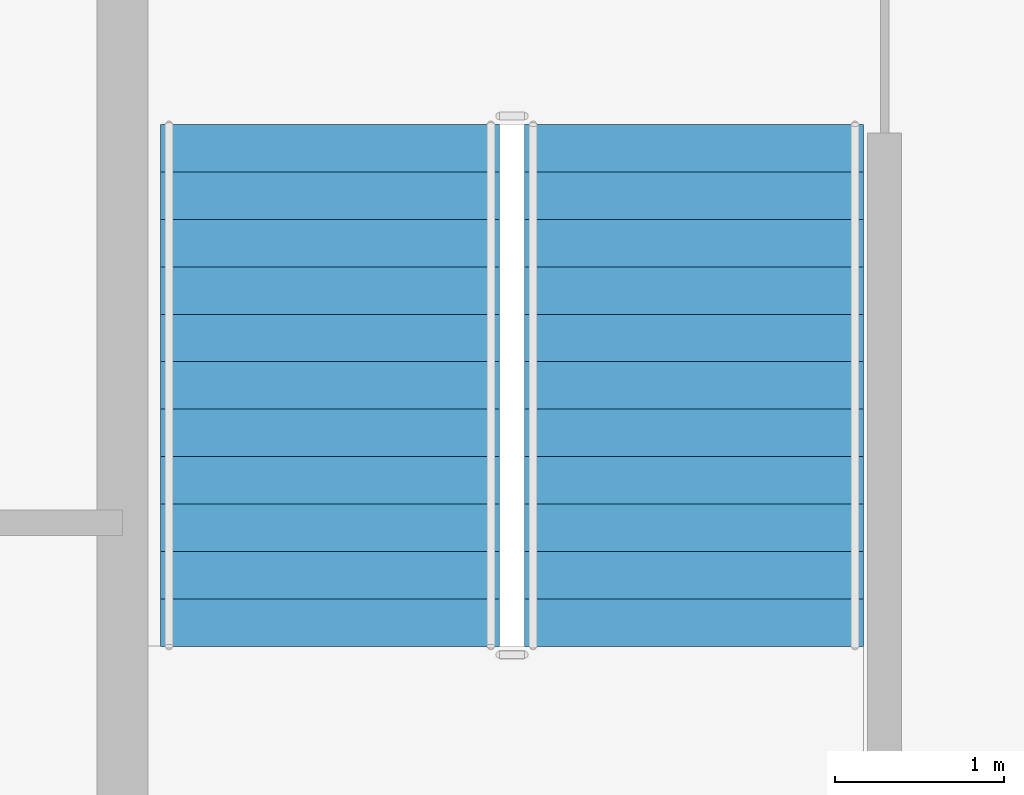
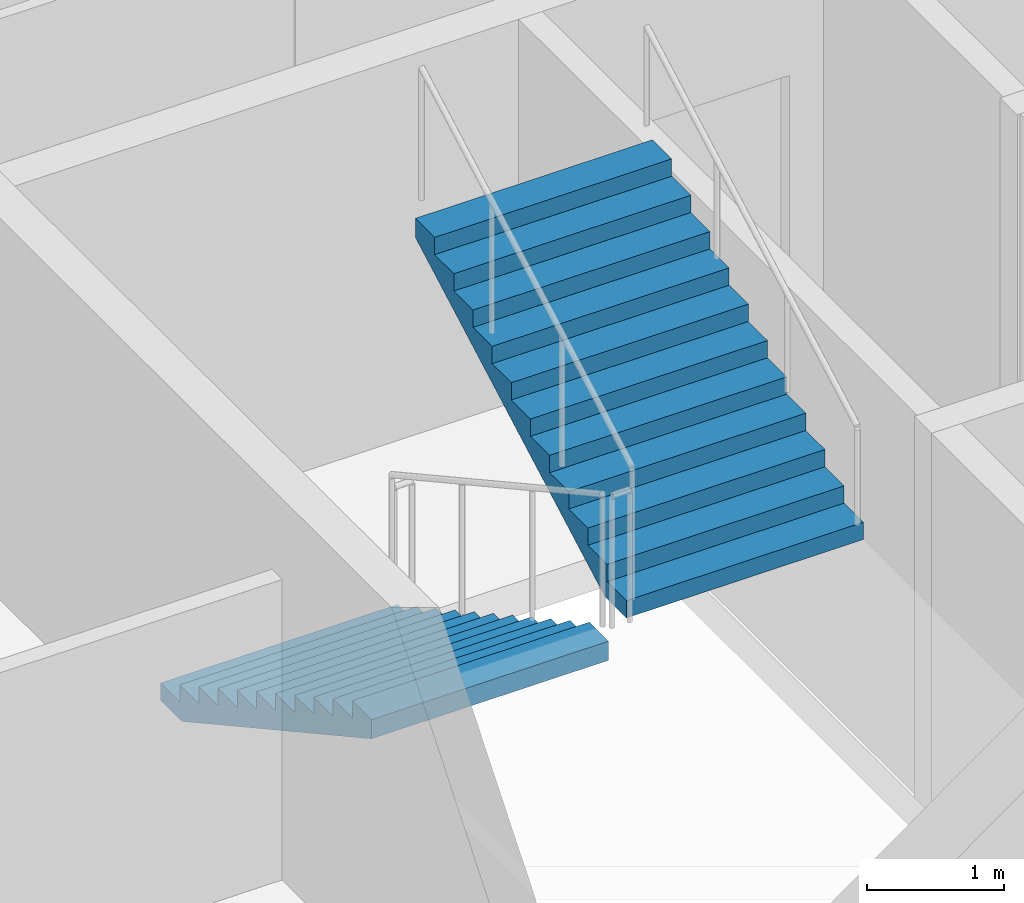
# One storey, part 11 of 18: 2 stair flights, 1 element without a shape of its own.
"""IFC4 building model written with IfcOpenShell, lengths in metres."""

from ifc_helpers import new_model, si_unit, direction, frame, origin, place, context, subcontext, project, spatial, polygons, material, type_object, element, aggregate, save


model = new_model("IFC4")

# Units and contexts
model_context = context("Model", 3, precision=1e-05, world=origin(), true_north=direction((0.0, 1.0)))
body_context = subcontext(model_context, "Body", "Model", "MODEL_VIEW")
ifc_project = project(units=[si_unit("LENGTHUNIT", "METRE"), si_unit("AREAUNIT", "SQUARE_METRE"), si_unit("VOLUMEUNIT", "CUBIC_METRE"), si_unit("PLANEANGLEUNIT", "RADIAN"), si_unit("MASSUNIT", "GRAM", prefix="KILO")], contexts=[model_context])

# Site, building, storey
site_placement = place(None, origin())
site = spatial("IfcSite", under=ifc_project, at=site_placement, CompositionType="ELEMENT")
building_placement = place(site_placement, origin())
building = spatial("IfcBuilding", under=site, at=building_placement, Name="Caravel Reach Hotel and Residences", CompositionType="ELEMENT")
storey_placement = place(building_placement, frame((0.0, 0.0, 176.5)))
storey = spatial("IfcBuildingStorey", under=building, at=storey_placement, Name="L44", CompositionType="ELEMENT", Elevation=176.5)

# Stair, stair flights
ifc_material_1 = material(Name="Concrete C40", Category="concrete")
stair_type = type_object("IfcStairType", Name="Core stair", PredefinedType="HALF_TURN_STAIR", material=ifc_material_1)
stair_placement = place(storey_placement, origin())
stair = element("IfcStair", 1, at=stair_placement, inside=storey, type_object=stair_type, Name="L44 Exit stair A", PredefinedType="HALF_TURN_STAIR")
ifc_material_2 = material(Name="Concrete C40", Category="concrete")
stair_flight_type = type_object("IfcStairFlightType", Name="Core stair flight", PredefinedType="STRAIGHT", material=ifc_material_2)
stair_flight_1_placement = place(storey_placement, frame((19.22509765625, 29.35009765625, 0.0), z_axis=(0.0, 0.0, 1.0), x_axis=(0.0, -1.0, 0.0)))
stair_flight_1 = element("IfcStairFlight", 2, at=stair_flight_1_placement, type_object=stair_flight_type, Name="ST-A flight 1", NumberOfRisers=12, NumberOfTreads=11, PredefinedType="STRAIGHT", RiserHeight=0.154166667, TreadLength=0.28, context=body_context, shape_type="Tessellation", body=[
    polygons([(0.3107950034306102, 1.0, 0.0), (0.3107950034306102, 0.6666666666666667, 0.0), (0.3107950034306102, 0.33333333333333337, 0.0), (0.3107950034306102, 0.0, 0.0), (0.3107950034306102, -0.33333333333333326, 0.0), (0.3107950034306102, -0.6666666666666667, 0.0), (0.3107950034306102, -1.0, 0.0), (3.081, 1.0, 1.524711087717319), (3.081, 0.6666666666666667, 1.524711087717319), (3.081, 0.33333333333333337, 1.524711087717319), (3.081, 0.0, 1.524711087717319), (3.081, -0.33333333333333326, 1.524711087717319), (3.081, -0.6666666666666667, 1.524711087717319), (3.081, -1.0, 1.524711087717319), (3.081, 1.0, 1.695833337), (3.081, 0.6666666666666667, 1.695833337), (3.081, 0.33333333333333337, 1.695833337), (3.081, 0.0, 1.695833337), (3.081, -0.33333333333333326, 1.695833337), (3.081, -0.6666666666666667, 1.695833337), (3.081, -1.0, 1.695833337), (2.8000000000000003, 1.0, 1.695833337), (2.8000000000000003, 0.6666666666666667, 1.695833337), (2.8000000000000003, 0.33333333333333337, 1.695833337), (2.8000000000000003, 0.0, 1.695833337), (2.8000000000000003, -0.33333333333333326, 1.695833337), (2.8000000000000003, -0.6666666666666667, 1.695833337), (2.8000000000000003, -1.0, 1.695833337), (2.8000000000000003, 1.0, 1.5416666700000001), (2.8000000000000003, 0.6666666666666667, 1.5416666700000001), (2.8000000000000003, 0.33333333333333337, 1.5416666700000001), (2.8000000000000003, 0.0, 1.5416666700000001), (2.8000000000000003, -0.33333333333333326, 1.5416666700000001), (2.8000000000000003, -0.6666666666666667, 1.5416666700000001), (2.8000000000000003, -1.0, 1.5416666700000001), (2.5200000000000005, 1.0, 1.5416666700000001), (2.5200000000000005, 0.6666666666666667, 1.5416666700000001), (2.5200000000000005, 0.33333333333333337, 1.5416666700000001), (2.5200000000000005, 0.0, 1.5416666700000001), (2.5200000000000005, -0.33333333333333326, 1.5416666700000001), (2.5200000000000005, -0.6666666666666667, 1.5416666700000001), (2.5200000000000005, -1.0, 1.5416666700000001), (2.5200000000000005, 1.0, 1.387500003), (2.5200000000000005, 0.6666666666666667, 1.387500003), (2.5200000000000005, 0.33333333333333337, 1.387500003), (2.5200000000000005, 0.0, 1.387500003), (2.5200000000000005, -0.33333333333333326, 1.387500003), (2.5200000000000005, -0.6666666666666667, 1.387500003), (2.5200000000000005, -1.0, 1.387500003), (2.24, 1.0, 1.387500003), (2.24, 0.6666666666666667, 1.387500003), (2.24, 0.33333333333333337, 1.387500003), (2.24, 0.0, 1.387500003), (2.24, -0.33333333333333326, 1.387500003), (2.24, -0.6666666666666667, 1.387500003), (2.24, -1.0, 1.387500003), (2.24, 1.0, 1.233333336), (2.24, 0.6666666666666667, 1.233333336), (2.24, 0.33333333333333337, 1.233333336), (2.24, 0.0, 1.233333336), (2.24, -0.33333333333333326, 1.233333336), (2.24, -0.6666666666666667, 1.233333336), (2.24, -1.0, 1.233333336), (1.9600000000000002, 1.0, 1.233333336), (1.9600000000000002, 0.6666666666666667, 1.233333336), (1.9600000000000002, 0.33333333333333337, 1.233333336), (1.9600000000000002, 0.0, 1.233333336), (1.9600000000000002, -0.33333333333333326, 1.233333336), (1.9600000000000002, -0.6666666666666667, 1.233333336), (1.9600000000000002, -1.0, 1.233333336), (1.9600000000000002, 1.0, 1.0791666690000001), (1.9600000000000002, 0.6666666666666667, 1.0791666690000001), (1.9600000000000002, 0.33333333333333337, 1.0791666690000001), (1.9600000000000002, 0.0, 1.0791666690000001), (1.9600000000000002, -0.33333333333333326, 1.0791666690000001), (1.9600000000000002, -0.6666666666666667, 1.0791666690000001), (1.9600000000000002, -1.0, 1.0791666690000001), (1.6800000000000002, 1.0, 1.0791666690000001), (1.6800000000000002, 0.6666666666666667, 1.0791666690000001), (1.6800000000000002, 0.33333333333333337, 1.0791666690000001), (1.6800000000000002, 0.0, 1.0791666690000001), (1.6800000000000002, -0.33333333333333326, 1.0791666690000001), (1.6800000000000002, -0.6666666666666667, 1.0791666690000001), (1.6800000000000002, -1.0, 1.0791666690000001), (1.6800000000000002, 1.0, 0.925000002), (1.6800000000000002, 0.6666666666666667, 0.925000002), (1.6800000000000002, 0.33333333333333337, 0.925000002), (1.6800000000000002, 0.0, 0.925000002), (1.6800000000000002, -0.33333333333333326, 0.925000002), (1.6800000000000002, -0.6666666666666667, 0.925000002), (1.6800000000000002, -1.0, 0.925000002), (1.4000000000000001, 1.0, 0.925000002), (1.4000000000000001, 0.6666666666666667, 0.925000002), (1.4000000000000001, 0.33333333333333337, 0.925000002), (1.4000000000000001, 0.0, 0.925000002), (1.4000000000000001, -0.33333333333333326, 0.925000002), (1.4000000000000001, -0.6666666666666667, 0.925000002), (1.4000000000000001, -1.0, 0.925000002), (1.4000000000000001, 1.0, 0.7708333350000001), (1.4000000000000001, 0.6666666666666667, 0.7708333350000001), (1.4000000000000001, 0.33333333333333337, 0.7708333350000001), (1.4000000000000001, 0.0, 0.7708333350000001), (1.4000000000000001, -0.33333333333333326, 0.7708333350000001), (1.4000000000000001, -0.6666666666666667, 0.7708333350000001), (1.4000000000000001, -1.0, 0.7708333350000001), (1.12, 1.0, 0.7708333350000001), (1.12, 0.6666666666666667, 0.7708333350000001), (1.12, 0.33333333333333337, 0.7708333350000001), (1.12, 0.0, 0.7708333350000001), (1.12, -0.33333333333333326, 0.7708333350000001), (1.12, -0.6666666666666667, 0.7708333350000001), (1.12, -1.0, 0.7708333350000001), (1.12, 1.0, 0.616666668), (1.12, 0.6666666666666667, 0.616666668), (1.12, 0.33333333333333337, 0.616666668), (1.12, 0.0, 0.616666668), (1.12, -0.33333333333333326, 0.616666668), (1.12, -0.6666666666666667, 0.616666668), (1.12, -1.0, 0.616666668), (0.8400000000000001, 1.0, 0.616666668), (0.8400000000000001, 0.6666666666666667, 0.616666668), (0.8400000000000001, 0.33333333333333337, 0.616666668), (0.8400000000000001, 0.0, 0.616666668), (0.8400000000000001, -0.33333333333333326, 0.616666668), (0.8400000000000001, -0.6666666666666667, 0.616666668), (0.8400000000000001, -1.0, 0.616666668), (0.8400000000000001, 1.0, 0.462500001), (0.8400000000000001, 0.6666666666666667, 0.462500001), (0.8400000000000001, 0.33333333333333337, 0.462500001), (0.8400000000000001, 0.0, 0.462500001), (0.8400000000000001, -0.33333333333333326, 0.462500001), (0.8400000000000001, -0.6666666666666667, 0.462500001), (0.8400000000000001, -1.0, 0.462500001), (0.56, 1.0, 0.462500001), (0.56, 0.6666666666666667, 0.462500001), (0.56, 0.33333333333333337, 0.462500001), (0.56, 0.0, 0.462500001), (0.56, -0.33333333333333326, 0.462500001), (0.56, -0.6666666666666667, 0.462500001), (0.56, -1.0, 0.462500001), (0.56, 1.0, 0.308333334), (0.56, 0.6666666666666667, 0.308333334), (0.56, 0.33333333333333337, 0.308333334), (0.56, 0.0, 0.308333334), (0.56, -0.33333333333333326, 0.308333334), (0.56, -0.6666666666666667, 0.308333334), (0.56, -1.0, 0.308333334), (0.28, 1.0, 0.308333334), (0.28, 0.6666666666666667, 0.308333334), (0.28, 0.33333333333333337, 0.308333334), (0.28, 0.0, 0.308333334), (0.28, -0.33333333333333326, 0.308333334), (0.28, -0.6666666666666667, 0.308333334), (0.28, -1.0, 0.308333334), (0.28, 1.0, 0.154166667), (0.28, 0.6666666666666667, 0.154166667), (0.28, 0.33333333333333337, 0.154166667), (0.28, 0.0, 0.154166667), (0.28, -0.33333333333333326, 0.154166667), (0.28, -0.6666666666666667, 0.154166667), (0.28, -1.0, 0.154166667), (-0.001, 1.0, 0.154166667), (-0.001, 0.6666666666666667, 0.154166667), (-0.001, 0.33333333333333337, 0.154166667), (-0.001, 0.0, 0.154166667), (-0.001, -0.33333333333333326, 0.154166667), (-0.001, -0.6666666666666667, 0.154166667), (-0.001, -1.0, 0.154166667), (-0.001, 1.0, 0.0), (-0.001, 0.6666666666666667, 0.0), (-0.001, 0.33333333333333337, 0.0), (-0.001, 0.0, 0.0), (-0.001, -0.33333333333333326, 0.0), (-0.001, -0.6666666666666667, 0.0), (-0.001, -1.0, 0.0)], [[[169, 162, 155, 148, 141, 134, 127, 120, 113, 106, 99, 92, 85, 78, 71, 64, 57, 50, 43, 36, 29, 22, 15, 8, 1]], [[7, 14, 21, 28, 35, 42, 49, 56, 63, 70, 77, 84, 91, 98, 105, 112, 119, 126, 133, 140, 147, 154, 161, 168, 175]], [[1, 8, 9, 2]], [[2, 9, 10, 3]], [[3, 10, 11, 4]], [[4, 11, 12, 5]], [[5, 12, 13, 6]], [[6, 13, 14, 7]], [[8, 15, 16, 9]], [[9, 16, 17, 10]], [[10, 17, 18, 11]], [[11, 18, 19, 12]], [[12, 19, 20, 13]], [[13, 20, 21, 14]], [[15, 22, 23, 16]], [[16, 23, 24, 17]], [[17, 24, 25, 18]], [[18, 25, 26, 19]], [[19, 26, 27, 20]], [[20, 27, 28, 21]], [[22, 29, 30, 23]], [[23, 30, 31, 24]], [[24, 31, 32, 25]], [[25, 32, 33, 26]], [[26, 33, 34, 27]], [[27, 34, 35, 28]], [[29, 36, 37, 30]], [[30, 37, 38, 31]], [[31, 38, 39, 32]], [[32, 39, 40, 33]], [[33, 40, 41, 34]], [[34, 41, 42, 35]], [[36, 43, 44, 37]], [[37, 44, 45, 38]], [[38, 45, 46, 39]], [[39, 46, 47, 40]], [[40, 47, 48, 41]], [[41, 48, 49, 42]], [[43, 50, 51, 44]], [[44, 51, 52, 45]], [[45, 52, 53, 46]], [[46, 53, 54, 47]], [[47, 54, 55, 48]], [[48, 55, 56, 49]], [[50, 57, 58, 51]], [[51, 58, 59, 52]], [[52, 59, 60, 53]], [[53, 60, 61, 54]], [[54, 61, 62, 55]], [[55, 62, 63, 56]], [[57, 64, 65, 58]], [[58, 65, 66, 59]], [[59, 66, 67, 60]], [[60, 67, 68, 61]], [[61, 68, 69, 62]], [[62, 69, 70, 63]], [[64, 71, 72, 65]], [[65, 72, 73, 66]], [[66, 73, 74, 67]], [[67, 74, 75, 68]], [[68, 75, 76, 69]], [[69, 76, 77, 70]], [[71, 78, 79, 72]], [[72, 79, 80, 73]], [[73, 80, 81, 74]], [[74, 81, 82, 75]], [[75, 82, 83, 76]], [[76, 83, 84, 77]], [[78, 85, 86, 79]], [[79, 86, 87, 80]], [[80, 87, 88, 81]], [[81, 88, 89, 82]], [[82, 89, 90, 83]], [[83, 90, 91, 84]], [[85, 92, 93, 86]], [[86, 93, 94, 87]], [[87, 94, 95, 88]], [[88, 95, 96, 89]], [[89, 96, 97, 90]], [[90, 97, 98, 91]], [[92, 99, 100, 93]], [[93, 100, 101, 94]], [[94, 101, 102, 95]], [[95, 102, 103, 96]], [[96, 103, 104, 97]], [[97, 104, 105, 98]], [[99, 106, 107, 100]], [[100, 107, 108, 101]], [[101, 108, 109, 102]], [[102, 109, 110, 103]], [[103, 110, 111, 104]], [[104, 111, 112, 105]], [[106, 113, 114, 107]], [[107, 114, 115, 108]], [[108, 115, 116, 109]], [[109, 116, 117, 110]], [[110, 117, 118, 111]], [[111, 118, 119, 112]], [[113, 120, 121, 114]], [[114, 121, 122, 115]], [[115, 122, 123, 116]], [[116, 123, 124, 117]], [[117, 124, 125, 118]], [[118, 125, 126, 119]], [[120, 127, 128, 121]], [[121, 128, 129, 122]], [[122, 129, 130, 123]], [[123, 130, 131, 124]], [[124, 131, 132, 125]], [[125, 132, 133, 126]], [[127, 134, 135, 128]], [[128, 135, 136, 129]], [[129, 136, 137, 130]], [[130, 137, 138, 131]], [[131, 138, 139, 132]], [[132, 139, 140, 133]], [[134, 141, 142, 135]], [[135, 142, 143, 136]], [[136, 143, 144, 137]], [[137, 144, 145, 138]], [[138, 145, 146, 139]], [[139, 146, 147, 140]], [[141, 148, 149, 142]], [[142, 149, 150, 143]], [[143, 150, 151, 144]], [[144, 151, 152, 145]], [[145, 152, 153, 146]], [[146, 153, 154, 147]], [[148, 155, 156, 149]], [[149, 156, 157, 150]], [[150, 157, 158, 151]], [[151, 158, 159, 152]], [[152, 159, 160, 153]], [[153, 160, 161, 154]], [[155, 162, 163, 156]], [[156, 163, 164, 157]], [[157, 164, 165, 158]], [[158, 165, 166, 159]], [[159, 166, 167, 160]], [[160, 167, 168, 161]], [[162, 169, 170, 163]], [[163, 170, 171, 164]], [[164, 171, 172, 165]], [[165, 172, 173, 166]], [[166, 173, 174, 167]], [[167, 174, 175, 168]], [[169, 1, 2, 170]], [[170, 2, 3, 171]], [[171, 3, 4, 172]], [[172, 4, 5, 173]], [[173, 5, 6, 174]], [[174, 6, 7, 175]]], closed=True),
])
stair_flight_2_placement = place(storey_placement, frame((21.375, 26.27001953125, 1.85009765625), z_axis=(0.0, 0.0, 1.0), x_axis=(0.0, 1.0, 0.0)))
stair_flight_2 = element("IfcStairFlight", 3, at=stair_flight_2_placement, type_object=stair_flight_type, Name="ST-A flight 2", NumberOfRisers=12, NumberOfTreads=11, PredefinedType="STRAIGHT", RiserHeight=0.154166667, TreadLength=0.28, context=body_context, shape_type="Tessellation", body=[
    polygons([(0.3107950034306102, 1.0, 0.0), (0.3107950034306102, 0.6666666666666667, 0.0), (0.3107950034306102, 0.33333333333333337, 0.0), (0.3107950034306102, 0.0, 0.0), (0.3107950034306102, -0.33333333333333326, 0.0), (0.3107950034306102, -0.6666666666666667, 0.0), (0.3107950034306102, -1.0, 0.0), (3.081, 1.0, 1.524711087717319), (3.081, 0.6666666666666667, 1.524711087717319), (3.081, 0.33333333333333337, 1.524711087717319), (3.081, 0.0, 1.524711087717319), (3.081, -0.33333333333333326, 1.524711087717319), (3.081, -0.6666666666666667, 1.524711087717319), (3.081, -1.0, 1.524711087717319), (3.081, 1.0, 1.695833337), (3.081, 0.6666666666666667, 1.695833337), (3.081, 0.33333333333333337, 1.695833337), (3.081, 0.0, 1.695833337), (3.081, -0.33333333333333326, 1.695833337), (3.081, -0.6666666666666667, 1.695833337), (3.081, -1.0, 1.695833337), (2.8000000000000003, 1.0, 1.695833337), (2.8000000000000003, 0.6666666666666667, 1.695833337), (2.8000000000000003, 0.33333333333333337, 1.695833337), (2.8000000000000003, 0.0, 1.695833337), (2.8000000000000003, -0.33333333333333326, 1.695833337), (2.8000000000000003, -0.6666666666666667, 1.695833337), (2.8000000000000003, -1.0, 1.695833337), (2.8000000000000003, 1.0, 1.5416666700000001), (2.8000000000000003, 0.6666666666666667, 1.5416666700000001), (2.8000000000000003, 0.33333333333333337, 1.5416666700000001), (2.8000000000000003, 0.0, 1.5416666700000001), (2.8000000000000003, -0.33333333333333326, 1.5416666700000001), (2.8000000000000003, -0.6666666666666667, 1.5416666700000001), (2.8000000000000003, -1.0, 1.5416666700000001), (2.5200000000000005, 1.0, 1.5416666700000001), (2.5200000000000005, 0.6666666666666667, 1.5416666700000001), (2.5200000000000005, 0.33333333333333337, 1.5416666700000001), (2.5200000000000005, 0.0, 1.5416666700000001), (2.5200000000000005, -0.33333333333333326, 1.5416666700000001), (2.5200000000000005, -0.6666666666666667, 1.5416666700000001), (2.5200000000000005, -1.0, 1.5416666700000001), (2.5200000000000005, 1.0, 1.387500003), (2.5200000000000005, 0.6666666666666667, 1.387500003), (2.5200000000000005, 0.33333333333333337, 1.387500003), (2.5200000000000005, 0.0, 1.387500003), (2.5200000000000005, -0.33333333333333326, 1.387500003), (2.5200000000000005, -0.6666666666666667, 1.387500003), (2.5200000000000005, -1.0, 1.387500003), (2.24, 1.0, 1.387500003), (2.24, 0.6666666666666667, 1.387500003), (2.24, 0.33333333333333337, 1.387500003), (2.24, 0.0, 1.387500003), (2.24, -0.33333333333333326, 1.387500003), (2.24, -0.6666666666666667, 1.387500003), (2.24, -1.0, 1.387500003), (2.24, 1.0, 1.233333336), (2.24, 0.6666666666666667, 1.233333336), (2.24, 0.33333333333333337, 1.233333336), (2.24, 0.0, 1.233333336), (2.24, -0.33333333333333326, 1.233333336), (2.24, -0.6666666666666667, 1.233333336), (2.24, -1.0, 1.233333336), (1.9600000000000002, 1.0, 1.233333336), (1.9600000000000002, 0.6666666666666667, 1.233333336), (1.9600000000000002, 0.33333333333333337, 1.233333336), (1.9600000000000002, 0.0, 1.233333336), (1.9600000000000002, -0.33333333333333326, 1.233333336), (1.9600000000000002, -0.6666666666666667, 1.233333336), (1.9600000000000002, -1.0, 1.233333336), (1.9600000000000002, 1.0, 1.0791666690000001), (1.9600000000000002, 0.6666666666666667, 1.0791666690000001), (1.9600000000000002, 0.33333333333333337, 1.0791666690000001), (1.9600000000000002, 0.0, 1.0791666690000001), (1.9600000000000002, -0.33333333333333326, 1.0791666690000001), (1.9600000000000002, -0.6666666666666667, 1.0791666690000001), (1.9600000000000002, -1.0, 1.0791666690000001), (1.6800000000000002, 1.0, 1.0791666690000001), (1.6800000000000002, 0.6666666666666667, 1.0791666690000001), (1.6800000000000002, 0.33333333333333337, 1.0791666690000001), (1.6800000000000002, 0.0, 1.0791666690000001), (1.6800000000000002, -0.33333333333333326, 1.0791666690000001), (1.6800000000000002, -0.6666666666666667, 1.0791666690000001), (1.6800000000000002, -1.0, 1.0791666690000001), (1.6800000000000002, 1.0, 0.925000002), (1.6800000000000002, 0.6666666666666667, 0.925000002), (1.6800000000000002, 0.33333333333333337, 0.925000002), (1.6800000000000002, 0.0, 0.925000002), (1.6800000000000002, -0.33333333333333326, 0.925000002), (1.6800000000000002, -0.6666666666666667, 0.925000002), (1.6800000000000002, -1.0, 0.925000002), (1.4000000000000001, 1.0, 0.925000002), (1.4000000000000001, 0.6666666666666667, 0.925000002), (1.4000000000000001, 0.33333333333333337, 0.925000002), (1.4000000000000001, 0.0, 0.925000002), (1.4000000000000001, -0.33333333333333326, 0.925000002), (1.4000000000000001, -0.6666666666666667, 0.925000002), (1.4000000000000001, -1.0, 0.925000002), (1.4000000000000001, 1.0, 0.7708333350000001), (1.4000000000000001, 0.6666666666666667, 0.7708333350000001), (1.4000000000000001, 0.33333333333333337, 0.7708333350000001), (1.4000000000000001, 0.0, 0.7708333350000001), (1.4000000000000001, -0.33333333333333326, 0.7708333350000001), (1.4000000000000001, -0.6666666666666667, 0.7708333350000001), (1.4000000000000001, -1.0, 0.7708333350000001), (1.12, 1.0, 0.7708333350000001), (1.12, 0.6666666666666667, 0.7708333350000001), (1.12, 0.33333333333333337, 0.7708333350000001), (1.12, 0.0, 0.7708333350000001), (1.12, -0.33333333333333326, 0.7708333350000001), (1.12, -0.6666666666666667, 0.7708333350000001), (1.12, -1.0, 0.7708333350000001), (1.12, 1.0, 0.616666668), (1.12, 0.6666666666666667, 0.616666668), (1.12, 0.33333333333333337, 0.616666668), (1.12, 0.0, 0.616666668), (1.12, -0.33333333333333326, 0.616666668), (1.12, -0.6666666666666667, 0.616666668), (1.12, -1.0, 0.616666668), (0.8400000000000001, 1.0, 0.616666668), (0.8400000000000001, 0.6666666666666667, 0.616666668), (0.8400000000000001, 0.33333333333333337, 0.616666668), (0.8400000000000001, 0.0, 0.616666668), (0.8400000000000001, -0.33333333333333326, 0.616666668), (0.8400000000000001, -0.6666666666666667, 0.616666668), (0.8400000000000001, -1.0, 0.616666668), (0.8400000000000001, 1.0, 0.462500001), (0.8400000000000001, 0.6666666666666667, 0.462500001), (0.8400000000000001, 0.33333333333333337, 0.462500001), (0.8400000000000001, 0.0, 0.462500001), (0.8400000000000001, -0.33333333333333326, 0.462500001), (0.8400000000000001, -0.6666666666666667, 0.462500001), (0.8400000000000001, -1.0, 0.462500001), (0.56, 1.0, 0.462500001), (0.56, 0.6666666666666667, 0.462500001), (0.56, 0.33333333333333337, 0.462500001), (0.56, 0.0, 0.462500001), (0.56, -0.33333333333333326, 0.462500001), (0.56, -0.6666666666666667, 0.462500001), (0.56, -1.0, 0.462500001), (0.56, 1.0, 0.308333334), (0.56, 0.6666666666666667, 0.308333334), (0.56, 0.33333333333333337, 0.308333334), (0.56, 0.0, 0.308333334), (0.56, -0.33333333333333326, 0.308333334), (0.56, -0.6666666666666667, 0.308333334), (0.56, -1.0, 0.308333334), (0.28, 1.0, 0.308333334), (0.28, 0.6666666666666667, 0.308333334), (0.28, 0.33333333333333337, 0.308333334), (0.28, 0.0, 0.308333334), (0.28, -0.33333333333333326, 0.308333334), (0.28, -0.6666666666666667, 0.308333334), (0.28, -1.0, 0.308333334), (0.28, 1.0, 0.154166667), (0.28, 0.6666666666666667, 0.154166667), (0.28, 0.33333333333333337, 0.154166667), (0.28, 0.0, 0.154166667), (0.28, -0.33333333333333326, 0.154166667), (0.28, -0.6666666666666667, 0.154166667), (0.28, -1.0, 0.154166667), (-0.001, 1.0, 0.154166667), (-0.001, 0.6666666666666667, 0.154166667), (-0.001, 0.33333333333333337, 0.154166667), (-0.001, 0.0, 0.154166667), (-0.001, -0.33333333333333326, 0.154166667), (-0.001, -0.6666666666666667, 0.154166667), (-0.001, -1.0, 0.154166667), (-0.001, 1.0, 0.0), (-0.001, 0.6666666666666667, 0.0), (-0.001, 0.33333333333333337, 0.0), (-0.001, 0.0, 0.0), (-0.001, -0.33333333333333326, 0.0), (-0.001, -0.6666666666666667, 0.0), (-0.001, -1.0, 0.0)], [[[169, 162, 155, 148, 141, 134, 127, 120, 113, 106, 99, 92, 85, 78, 71, 64, 57, 50, 43, 36, 29, 22, 15, 8, 1]], [[7, 14, 21, 28, 35, 42, 49, 56, 63, 70, 77, 84, 91, 98, 105, 112, 119, 126, 133, 140, 147, 154, 161, 168, 175]], [[1, 8, 9, 2]], [[2, 9, 10, 3]], [[3, 10, 11, 4]], [[4, 11, 12, 5]], [[5, 12, 13, 6]], [[6, 13, 14, 7]], [[8, 15, 16, 9]], [[9, 16, 17, 10]], [[10, 17, 18, 11]], [[11, 18, 19, 12]], [[12, 19, 20, 13]], [[13, 20, 21, 14]], [[15, 22, 23, 16]], [[16, 23, 24, 17]], [[17, 24, 25, 18]], [[18, 25, 26, 19]], [[19, 26, 27, 20]], [[20, 27, 28, 21]], [[22, 29, 30, 23]], [[23, 30, 31, 24]], [[24, 31, 32, 25]], [[25, 32, 33, 26]], [[26, 33, 34, 27]], [[27, 34, 35, 28]], [[29, 36, 37, 30]], [[30, 37, 38, 31]], [[31, 38, 39, 32]], [[32, 39, 40, 33]], [[33, 40, 41, 34]], [[34, 41, 42, 35]], [[36, 43, 44, 37]], [[37, 44, 45, 38]], [[38, 45, 46, 39]], [[39, 46, 47, 40]], [[40, 47, 48, 41]], [[41, 48, 49, 42]], [[43, 50, 51, 44]], [[44, 51, 52, 45]], [[45, 52, 53, 46]], [[46, 53, 54, 47]], [[47, 54, 55, 48]], [[48, 55, 56, 49]], [[50, 57, 58, 51]], [[51, 58, 59, 52]], [[52, 59, 60, 53]], [[53, 60, 61, 54]], [[54, 61, 62, 55]], [[55, 62, 63, 56]], [[57, 64, 65, 58]], [[58, 65, 66, 59]], [[59, 66, 67, 60]], [[60, 67, 68, 61]], [[61, 68, 69, 62]], [[62, 69, 70, 63]], [[64, 71, 72, 65]], [[65, 72, 73, 66]], [[66, 73, 74, 67]], [[67, 74, 75, 68]], [[68, 75, 76, 69]], [[69, 76, 77, 70]], [[71, 78, 79, 72]], [[72, 79, 80, 73]], [[73, 80, 81, 74]], [[74, 81, 82, 75]], [[75, 82, 83, 76]], [[76, 83, 84, 77]], [[78, 85, 86, 79]], [[79, 86, 87, 80]], [[80, 87, 88, 81]], [[81, 88, 89, 82]], [[82, 89, 90, 83]], [[83, 90, 91, 84]], [[85, 92, 93, 86]], [[86, 93, 94, 87]], [[87, 94, 95, 88]], [[88, 95, 96, 89]], [[89, 96, 97, 90]], [[90, 97, 98, 91]], [[92, 99, 100, 93]], [[93, 100, 101, 94]], [[94, 101, 102, 95]], [[95, 102, 103, 96]], [[96, 103, 104, 97]], [[97, 104, 105, 98]], [[99, 106, 107, 100]], [[100, 107, 108, 101]], [[101, 108, 109, 102]], [[102, 109, 110, 103]], [[103, 110, 111, 104]], [[104, 111, 112, 105]], [[106, 113, 114, 107]], [[107, 114, 115, 108]], [[108, 115, 116, 109]], [[109, 116, 117, 110]], [[110, 117, 118, 111]], [[111, 118, 119, 112]], [[113, 120, 121, 114]], [[114, 121, 122, 115]], [[115, 122, 123, 116]], [[116, 123, 124, 117]], [[117, 124, 125, 118]], [[118, 125, 126, 119]], [[120, 127, 128, 121]], [[121, 128, 129, 122]], [[122, 129, 130, 123]], [[123, 130, 131, 124]], [[124, 131, 132, 125]], [[125, 132, 133, 126]], [[127, 134, 135, 128]], [[128, 135, 136, 129]], [[129, 136, 137, 130]], [[130, 137, 138, 131]], [[131, 138, 139, 132]], [[132, 139, 140, 133]], [[134, 141, 142, 135]], [[135, 142, 143, 136]], [[136, 143, 144, 137]], [[137, 144, 145, 138]], [[138, 145, 146, 139]], [[139, 146, 147, 140]], [[141, 148, 149, 142]], [[142, 149, 150, 143]], [[143, 150, 151, 144]], [[144, 151, 152, 145]], [[145, 152, 153, 146]], [[146, 153, 154, 147]], [[148, 155, 156, 149]], [[149, 156, 157, 150]], [[150, 157, 158, 151]], [[151, 158, 159, 152]], [[152, 159, 160, 153]], [[153, 160, 161, 154]], [[155, 162, 163, 156]], [[156, 163, 164, 157]], [[157, 164, 165, 158]], [[158, 165, 166, 159]], [[159, 166, 167, 160]], [[160, 167, 168, 161]], [[162, 169, 170, 163]], [[163, 170, 171, 164]], [[164, 171, 172, 165]], [[165, 172, 173, 166]], [[166, 173, 174, 167]], [[167, 174, 175, 168]], [[169, 1, 2, 170]], [[170, 2, 3, 171]], [[171, 3, 4, 172]], [[172, 4, 5, 173]], [[173, 5, 6, 174]], [[174, 6, 7, 175]]], closed=True),
])
aggregate(stair, [stair_flight_1, stair_flight_2])

save(model, "model.ifc")
